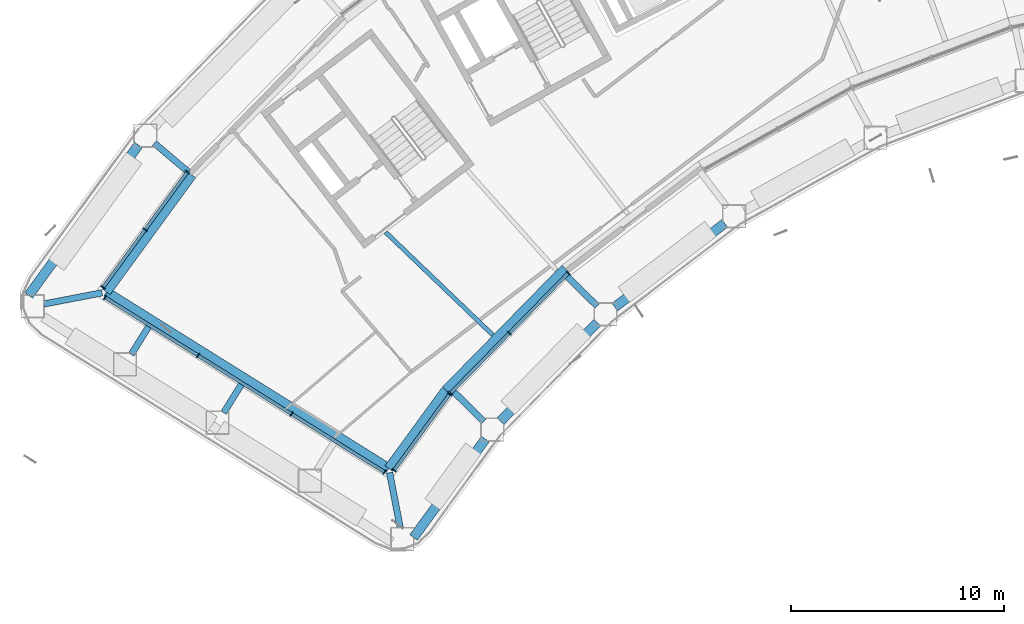
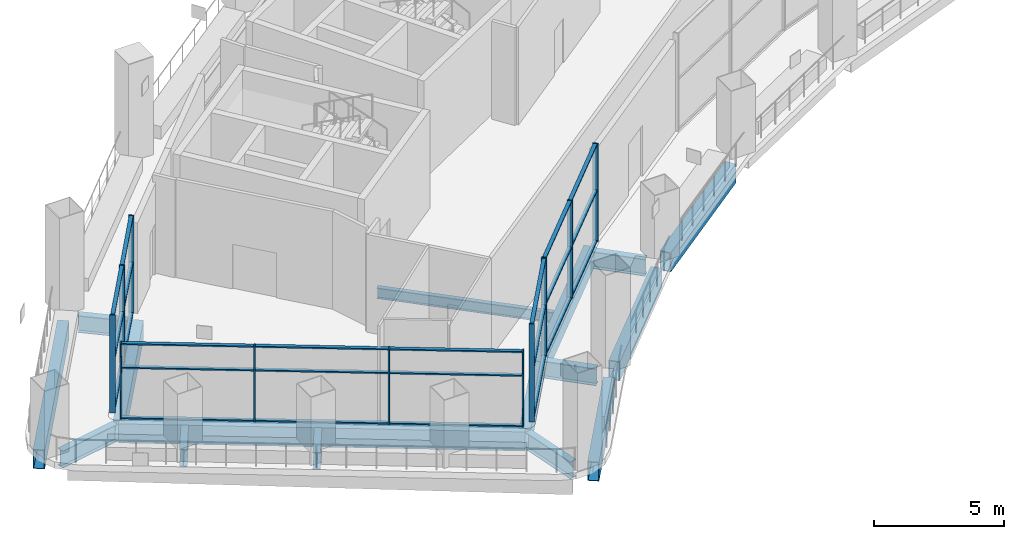
# One storey, part 2 of 28: 36 members, 16 beams, 4 elements without a shape of their own.
"""IFC4 building model written with IfcOpenShell, lengths in metres."""

from ifc_helpers import new_model, si_unit, direction, frame, origin, origin_2d, place, context, subcontext, project, spatial, rectangle, hollow_rectangle, i_section, extrude, material, layer, layer_set, material_profile, profile_set, type_object, element, aggregate, save


model = new_model("IFC4")

# Units and contexts
model_context = context("Model", 3, precision=1e-05, world=origin(), true_north=direction((0.0, 1.0)))
body_context = subcontext(model_context, "Body", "Model", "MODEL_VIEW")
ifc_project = project(units=[si_unit("LENGTHUNIT", "METRE"), si_unit("AREAUNIT", "SQUARE_METRE"), si_unit("VOLUMEUNIT", "CUBIC_METRE"), si_unit("PLANEANGLEUNIT", "RADIAN"), si_unit("MASSUNIT", "GRAM", prefix="KILO")], contexts=[model_context])

# Site, building, storey
site_placement = place(None, origin())
site = spatial("IfcSite", under=ifc_project, at=site_placement, CompositionType="ELEMENT")
building_placement = place(site_placement, origin())
building = spatial("IfcBuilding", under=site, at=building_placement, Name="Tuul Gate Civic Tower", CompositionType="ELEMENT")
storey_placement = place(building_placement, frame((0.0, 0.0, 128.699951171875)))
storey = spatial("IfcBuildingStorey", under=building, at=storey_placement, Name="Sky garden level 1", CompositionType="ELEMENT", Elevation=128.699951171875)

# Curtain wall, members
ifc_material_1 = material(Name="Aluminium", Category="aluminium")
ifc_layer_1 = layer(ifc_material_1, 0.199951171875)
ifc_layer_set_1 = layer_set([ifc_layer_1], Name="Aluminium")
curtain_wall_type_1 = type_object("IfcCurtainWallType", Name="Curtain wall CW3", PredefinedType="NOTDEFINED", material=ifc_layer_set_1)
curtain_wall_1_placement = place(storey_placement, origin())
curtain_wall_1 = element("IfcCurtainWall", 1, at=curtain_wall_1_placement, inside=storey, type_object=curtain_wall_type_1, Name="Curtain wall CW3", PredefinedType="NOTDEFINED")
ifc_material_2 = material(Name="Aluminium", Category="aluminium")
ifc_material_profile_1 = material_profile(ifc_material_2, rectangle(XDim=0.219970703125, YDim=0.06005859375, at=origin_2d()), Name="CW3 mullion")
ifc_profile_set_1 = profile_set([ifc_material_profile_1], Name="Aluminium")
member_type_1 = type_object("IfcMemberType", Name="CW3 mullion", PredefinedType="MULLION", material=ifc_profile_set_1)
member_1_placement = place(storey_placement, frame((-44.57275390625, -14.13916015625, 0.0), z_axis=(0.0, 0.0, 1.0), x_axis=(0.807610302913, -0.589716540915, 0.0)))
member_1 = element("IfcMember", 2, at=member_1_placement, type_object=member_type_1, Name="Mullion", PredefinedType="MULLION", context=body_context, shape_type="SweptSolid", body=[
    extrude(rectangle(XDim=0.219970703125, YDim=0.06005859375, at=origin_2d()), origin(), (0.0, 0.0, 1.0), 4.60009765625),
])
member_2_placement = place(storey_placement, frame((-46.551025390625, -16.848388671875, 0.0), z_axis=(0.0, 0.0, 1.0), x_axis=(0.807610302913, -0.589716540915, 0.0)))
member_2 = element("IfcMember", 3, at=member_2_placement, type_object=member_type_1, Name="Mullion", PredefinedType="MULLION", context=body_context, shape_type="SweptSolid", body=[
    extrude(rectangle(XDim=0.219970703125, YDim=0.06005859375, at=origin_2d()), origin(), (0.0, 0.0, 1.0), 4.60009765625),
])
member_3_placement = place(storey_placement, frame((-48.529296875, -19.557861328125, 0.0), z_axis=(0.0, 0.0, 1.0), x_axis=(0.807610302913, -0.589716540915, 0.0)))
member_3 = element("IfcMember", 4, at=member_3_placement, type_object=member_type_1, Name="Mullion", PredefinedType="MULLION", context=body_context, shape_type="SweptSolid", body=[
    extrude(rectangle(XDim=0.219970703125, YDim=0.06005859375, at=origin_2d()), origin(), (0.0, 0.0, 1.0), 4.60009765625),
])

curtain_wall_2_placement = place(storey_placement, origin())
curtain_wall_2 = element("IfcCurtainWall", 5, at=curtain_wall_2_placement, inside=storey, type_object=curtain_wall_type_1, Name="Curtain wall CW3", PredefinedType="NOTDEFINED")
member_4_placement = place(storey_placement, frame((-34.8662109375, -28.146728515625, 0.0), z_axis=(0.0, 0.0, 1.0), x_axis=(-0.807566892229, 0.589775986774, 0.0)))
member_4 = element("IfcMember", 6, at=member_4_placement, type_object=member_type_1, Name="Mullion", PredefinedType="MULLION", context=body_context, shape_type="SweptSolid", body=[
    extrude(rectangle(XDim=0.219970703125, YDim=0.06005859375, at=origin_2d()), origin(), (0.0, 0.0, 1.0), 4.60009765625),
])
member_5_placement = place(storey_placement, frame((-32.2587890625, -24.576171875, 0.0), z_axis=(0.0, 0.0, 1.0), x_axis=(-0.807566892229, 0.589775986774, 0.0)))
member_5 = element("IfcMember", 7, at=member_5_placement, type_object=member_type_1, Name="Mullion", PredefinedType="MULLION", context=body_context, shape_type="SweptSolid", body=[
    extrude(rectangle(XDim=0.219970703125, YDim=0.06005859375, at=origin_2d()), origin(), (0.0, 0.0, 1.0), 4.60009765625),
])

curtain_wall_3_placement = place(storey_placement, origin())
curtain_wall_3 = element("IfcCurtainWall", 8, at=curtain_wall_3_placement, inside=storey, type_object=curtain_wall_type_1, Name="Curtain wall CW3", PredefinedType="NOTDEFINED")
member_6_placement = place(storey_placement, frame((-32.219970703125, -24.530517578125, 0.0), z_axis=(0.0, 0.0, 1.0), x_axis=(-0.714099902117, 0.700043805627, 0.0)))
member_6 = element("IfcMember", 9, at=member_6_placement, type_object=member_type_1, Name="Mullion", PredefinedType="MULLION", context=body_context, shape_type="SweptSolid", body=[
    extrude(rectangle(XDim=0.219970703125, YDim=0.06005859375, at=origin_2d()), origin(), (0.0, 0.0, 1.0), 4.60009765625),
])
member_7_placement = place(storey_placement, frame((-29.451904296875, -21.70703125, 0.0), z_axis=(0.0, 0.0, 1.0), x_axis=(-0.714099902117, 0.700043805627, 0.0)))
member_7 = element("IfcMember", 10, at=member_7_placement, type_object=member_type_1, Name="Mullion", PredefinedType="MULLION", context=body_context, shape_type="SweptSolid", body=[
    extrude(rectangle(XDim=0.219970703125, YDim=0.06005859375, at=origin_2d()), origin(), (0.0, 0.0, 1.0), 4.60009765625),
])
member_8_placement = place(storey_placement, frame((-26.68408203125, -18.883544921875, 0.0), z_axis=(0.0, 0.0, 1.0), x_axis=(-0.714099902117, 0.700043805627, 0.0)))
member_8 = element("IfcMember", 11, at=member_8_placement, type_object=member_type_1, Name="Mullion", PredefinedType="MULLION", context=body_context, shape_type="SweptSolid", body=[
    extrude(rectangle(XDim=0.219970703125, YDim=0.06005859375, at=origin_2d()), origin(), (0.0, 0.0, 1.0), 4.60009765625),
])

# Member
ifc_material_3 = material(Name="Aluminium", Category="aluminium")
ifc_material_profile_2 = material_profile(ifc_material_3, rectangle(XDim=0.159912109375, YDim=0.06005859375, at=origin_2d()), Name="CW3 transom")
ifc_profile_set_2 = profile_set([ifc_material_profile_2], Name="Aluminium")
member_type_2 = type_object("IfcMemberType", Name="CW3 transom", PredefinedType="USERDEFINED", material=ifc_profile_set_2)
member_9_placement = place(storey_placement, frame((-44.59033203125, -14.16357421875, 0.030029296875), z_axis=(-0.589730421294, -0.807600167286, 0.0), x_axis=(0.807600167286, -0.589730421294, 0.0)))
member_9 = element("IfcMember", 12, at=member_9_placement, type_object=member_type_2, Name="Transom", ObjectType="TRANSOM", PredefinedType="USERDEFINED", context=body_context, shape_type="SweptSolid", body=[
    extrude(rectangle(XDim=0.159912109375, YDim=0.06005859375, at=origin_2d()), origin(), (0.0, 0.0, 1.0), 3.29443359375),
])

member_10_placement = place(storey_placement, frame((-44.59033203125, -14.16357421875, 2.400146484375), z_axis=(-0.589730421294, -0.807600167286, 0.0), x_axis=(0.807600167286, -0.589730421294, 0.0)))
member_10 = element("IfcMember", 13, at=member_10_placement, type_object=member_type_2, Name="Transom", ObjectType="TRANSOM", PredefinedType="USERDEFINED", context=body_context, shape_type="SweptSolid", body=[
    extrude(rectangle(XDim=0.159912109375, YDim=0.06005859375, at=origin_2d()), origin(), (0.0, 0.0, 1.0), 3.29443359375),
])

member_11_placement = place(storey_placement, frame((-44.59033203125, -14.16357421875, 4.570068359375), z_axis=(-0.589730421294, -0.807600167286, 0.0), x_axis=(0.807600167286, -0.589730421294, 0.0)))
member_11 = element("IfcMember", 14, at=member_11_placement, type_object=member_type_2, Name="Transom", ObjectType="TRANSOM", PredefinedType="USERDEFINED", context=body_context, shape_type="SweptSolid", body=[
    extrude(rectangle(XDim=0.159912109375, YDim=0.06005859375, at=origin_2d()), origin(), (0.0, 0.0, 1.0), 3.29443359375),
])

member_12_placement = place(storey_placement, frame((-46.568603515625, -16.872802734375, 0.030029296875), z_axis=(-0.589778750975, -0.807564873492, 0.0), x_axis=(0.807564873492, -0.589778750975, 0.0)))
member_12 = element("IfcMember", 15, at=member_12_placement, type_object=member_type_2, Name="Transom", ObjectType="TRANSOM", PredefinedType="USERDEFINED", context=body_context, shape_type="SweptSolid", body=[
    extrude(rectangle(XDim=0.159912109375, YDim=0.06005859375, at=origin_2d()), origin(), (0.0, 0.0, 1.0), 3.294677734375),
])

member_13_placement = place(storey_placement, frame((-46.568603515625, -16.872802734375, 2.400146484375), z_axis=(-0.589778750975, -0.807564873492, 0.0), x_axis=(0.807564873492, -0.589778750975, 0.0)))
member_13 = element("IfcMember", 16, at=member_13_placement, type_object=member_type_2, Name="Transom", ObjectType="TRANSOM", PredefinedType="USERDEFINED", context=body_context, shape_type="SweptSolid", body=[
    extrude(rectangle(XDim=0.159912109375, YDim=0.06005859375, at=origin_2d()), origin(), (0.0, 0.0, 1.0), 3.294677734375),
])

member_14_placement = place(storey_placement, frame((-46.568603515625, -16.872802734375, 4.570068359375), z_axis=(-0.589778750975, -0.807564873492, 0.0), x_axis=(0.807564873492, -0.589778750975, 0.0)))
member_14 = element("IfcMember", 17, at=member_14_placement, type_object=member_type_2, Name="Transom", ObjectType="TRANSOM", PredefinedType="USERDEFINED", context=body_context, shape_type="SweptSolid", body=[
    extrude(rectangle(XDim=0.159912109375, YDim=0.06005859375, at=origin_2d()), origin(), (0.0, 0.0, 1.0), 3.294677734375),
])

aggregate(curtain_wall_1, [member_1, member_2, member_3, member_9, member_10, member_11, member_12, member_13, member_14])

member_15_placement = place(storey_placement, frame((-34.8486328125, -28.12255859375, 0.030029296875), z_axis=(0.589768148936, 0.80757261624, 0.0), x_axis=(-0.80757261624, 0.589768148936, 0.0)))
member_15 = element("IfcMember", 18, at=member_15_placement, type_object=member_type_2, Name="Transom", ObjectType="TRANSOM", PredefinedType="USERDEFINED", context=body_context, shape_type="SweptSolid", body=[
    extrude(rectangle(XDim=0.159912109375, YDim=0.06005859375, at=origin_2d()), origin(), (0.0, 0.0, 1.0), 4.361572265625),
])

member_16_placement = place(storey_placement, frame((-34.8486328125, -28.12255859375, 2.400146484375), z_axis=(0.589768148936, 0.80757261624, 0.0), x_axis=(-0.80757261624, 0.589768148936, 0.0)))
member_16 = element("IfcMember", 19, at=member_16_placement, type_object=member_type_2, Name="Transom", ObjectType="TRANSOM", PredefinedType="USERDEFINED", context=body_context, shape_type="SweptSolid", body=[
    extrude(rectangle(XDim=0.159912109375, YDim=0.06005859375, at=origin_2d()), origin(), (0.0, 0.0, 1.0), 4.361572265625),
])

member_17_placement = place(storey_placement, frame((-34.8486328125, -28.12255859375, 4.570068359375), z_axis=(0.589768148936, 0.80757261624, 0.0), x_axis=(-0.80757261624, 0.589768148936, 0.0)))
member_17 = element("IfcMember", 20, at=member_17_placement, type_object=member_type_2, Name="Transom", ObjectType="TRANSOM", PredefinedType="USERDEFINED", context=body_context, shape_type="SweptSolid", body=[
    extrude(rectangle(XDim=0.159912109375, YDim=0.06005859375, at=origin_2d()), origin(), (0.0, 0.0, 1.0), 4.361572265625),
])

aggregate(curtain_wall_2, [member_4, member_5, member_15, member_16, member_17])

member_18_placement = place(storey_placement, frame((-32.198974609375, -24.509033203125, 0.030029296875), z_axis=(0.700081440507, 0.714063006084, 0.0), x_axis=(-0.714063006084, 0.700081440507, 0.0)))
member_18 = element("IfcMember", 21, at=member_18_placement, type_object=member_type_2, Name="Transom", ObjectType="TRANSOM", PredefinedType="USERDEFINED", context=body_context, shape_type="SweptSolid", body=[
    extrude(rectangle(XDim=0.159912109375, YDim=0.06005859375, at=origin_2d()), origin(), (0.0, 0.0, 1.0), 3.89404296875),
])

member_19_placement = place(storey_placement, frame((-32.198974609375, -24.509033203125, 2.400146484375), z_axis=(0.700081440507, 0.714063006084, 0.0), x_axis=(-0.714063006084, 0.700081440507, 0.0)))
member_19 = element("IfcMember", 22, at=member_19_placement, type_object=member_type_2, Name="Transom", ObjectType="TRANSOM", PredefinedType="USERDEFINED", context=body_context, shape_type="SweptSolid", body=[
    extrude(rectangle(XDim=0.159912109375, YDim=0.06005859375, at=origin_2d()), origin(), (0.0, 0.0, 1.0), 3.89404296875),
])

member_20_placement = place(storey_placement, frame((-32.198974609375, -24.509033203125, 4.570068359375), z_axis=(0.700081440507, 0.714063006084, 0.0), x_axis=(-0.714063006084, 0.700081440507, 0.0)))
member_20 = element("IfcMember", 23, at=member_20_placement, type_object=member_type_2, Name="Transom", ObjectType="TRANSOM", PredefinedType="USERDEFINED", context=body_context, shape_type="SweptSolid", body=[
    extrude(rectangle(XDim=0.159912109375, YDim=0.06005859375, at=origin_2d()), origin(), (0.0, 0.0, 1.0), 3.89404296875),
])

member_21_placement = place(storey_placement, frame((-29.430908203125, -21.685546875, 0.030029296875), z_axis=(0.700018126509, 0.714125074871, 0.0), x_axis=(-0.714125074871, 0.700018126509, 0.0)))
member_21 = element("IfcMember", 24, at=member_21_placement, type_object=member_type_2, Name="Transom", ObjectType="TRANSOM", PredefinedType="USERDEFINED", context=body_context, shape_type="SweptSolid", body=[
    extrude(rectangle(XDim=0.159912109375, YDim=0.06005859375, at=origin_2d()), origin(), (0.0, 0.0, 1.0), 3.89404296875),
])

member_22_placement = place(storey_placement, frame((-29.430908203125, -21.685546875, 2.400146484375), z_axis=(0.700018126509, 0.714125074871, 0.0), x_axis=(-0.714125074871, 0.700018126509, 0.0)))
member_22 = element("IfcMember", 25, at=member_22_placement, type_object=member_type_2, Name="Transom", ObjectType="TRANSOM", PredefinedType="USERDEFINED", context=body_context, shape_type="SweptSolid", body=[
    extrude(rectangle(XDim=0.159912109375, YDim=0.06005859375, at=origin_2d()), origin(), (0.0, 0.0, 1.0), 3.89404296875),
])

member_23_placement = place(storey_placement, frame((-29.430908203125, -21.685546875, 4.570068359375), z_axis=(0.700018126509, 0.714125074871, 0.0), x_axis=(-0.714125074871, 0.700018126509, 0.0)))
member_23 = element("IfcMember", 26, at=member_23_placement, type_object=member_type_2, Name="Transom", ObjectType="TRANSOM", PredefinedType="USERDEFINED", context=body_context, shape_type="SweptSolid", body=[
    extrude(rectangle(XDim=0.159912109375, YDim=0.06005859375, at=origin_2d()), origin(), (0.0, 0.0, 1.0), 3.89404296875),
])

aggregate(curtain_wall_3, [member_6, member_7, member_8, member_18, member_19, member_20, member_21, member_22, member_23])

# Curtain wall, members
ifc_material_4 = material(Name="Aluminium", Category="aluminium")
ifc_layer_2 = layer(ifc_material_4, 0.199951171875)
ifc_layer_set_2 = layer_set([ifc_layer_2], Name="Aluminium")
curtain_wall_type_2 = type_object("IfcCurtainWallType", Name="Curtain wall CW3A", PredefinedType="NOTDEFINED", material=ifc_layer_set_2)
curtain_wall_4_placement = place(storey_placement, origin())
curtain_wall_4 = element("IfcCurtainWall", 27, at=curtain_wall_4_placement, inside=storey, type_object=curtain_wall_type_2, Name="Curtain wall CW3A", PredefinedType="NOTDEFINED")
ifc_material_5 = material(Name="Aluminium", Category="aluminium")
ifc_material_profile_3 = material_profile(ifc_material_5, rectangle(XDim=0.219970703125, YDim=0.06005859375, at=origin_2d()), Name="CW3A mullion")
ifc_profile_set_3 = profile_set([ifc_material_profile_3], Name="Aluminium")
member_type_3 = type_object("IfcMemberType", Name="CW3A mullion", PredefinedType="MULLION", material=ifc_profile_set_3)
member_24_placement = place(storey_placement, frame((-48.4384765625, -20.02880859375, 0.0), z_axis=(0.0, 0.0, 1.0), x_axis=(0.52995845166, 0.848023607876, 0.0)))
member_24 = element("IfcMember", 28, at=member_24_placement, type_object=member_type_3, Name="Mullion", PredefinedType="MULLION", context=body_context, shape_type="SweptSolid", body=[
    extrude(rectangle(XDim=0.219970703125, YDim=0.06005859375, at=origin_2d()), origin(), (0.0, 0.0, 1.0), 3.545166015625),
])
member_25_placement = place(storey_placement, frame((-44.071044921875, -22.75830078125, 0.0), z_axis=(0.0, 0.0, 1.0), x_axis=(0.52995845166, 0.848023607876, 0.0)))
member_25 = element("IfcMember", 29, at=member_25_placement, type_object=member_type_3, Name="Mullion", PredefinedType="MULLION", context=body_context, shape_type="SweptSolid", body=[
    extrude(rectangle(XDim=0.219970703125, YDim=0.06005859375, at=origin_2d()), origin(), (0.0, 0.0, 1.0), 3.545166015625),
])
member_26_placement = place(storey_placement, frame((-39.677978515625, -25.503662109375, 0.0), z_axis=(0.0, 0.0, 1.0), x_axis=(0.52995845166, 0.848023607876, 0.0)))
member_26 = element("IfcMember", 30, at=member_26_placement, type_object=member_type_3, Name="Mullion", PredefinedType="MULLION", context=body_context, shape_type="SweptSolid", body=[
    extrude(rectangle(XDim=0.219970703125, YDim=0.06005859375, at=origin_2d()), origin(), (0.0, 0.0, 1.0), 3.545166015625),
])
member_27_placement = place(storey_placement, frame((-35.310546875, -28.233154296875, 0.0), z_axis=(0.0, 0.0, 1.0), x_axis=(0.52995845166, 0.848023607876, 0.0)))
member_27 = element("IfcMember", 31, at=member_27_placement, type_object=member_type_3, Name="Mullion", PredefinedType="MULLION", context=body_context, shape_type="SweptSolid", body=[
    extrude(rectangle(XDim=0.219970703125, YDim=0.06005859375, at=origin_2d()), origin(), (0.0, 0.0, 1.0), 3.545166015625),
])
ifc_material_6 = material(Name="Aluminium", Category="aluminium")
ifc_material_profile_4 = material_profile(ifc_material_6, rectangle(XDim=0.159912109375, YDim=0.06005859375, at=origin_2d()), Name="CW3A transom")
ifc_profile_set_4 = profile_set([ifc_material_profile_4], Name="Aluminium")
member_type_4 = type_object("IfcMemberType", Name="CW3A transom", PredefinedType="USERDEFINED", material=ifc_profile_set_4)
member_28_placement = place(storey_placement, frame((-48.4130859375, -20.044677734375, 0.030029296875), z_axis=(0.848011776134, -0.529977383987, 0.0), x_axis=(0.529977383987, 0.848011776134, 0.0)))
member_28 = element("IfcMember", 32, at=member_28_placement, type_object=member_type_4, Name="Transom", ObjectType="TRANSOM", PredefinedType="USERDEFINED", context=body_context, shape_type="SweptSolid", body=[
    extrude(rectangle(XDim=0.159912109375, YDim=0.06005859375, at=origin_2d()), origin(), (0.0, 0.0, 1.0), 5.09033203125),
])
member_29_placement = place(storey_placement, frame((-48.4130859375, -20.044677734375, 2.400146484375), z_axis=(0.848011776134, -0.529977383987, 0.0), x_axis=(0.529977383987, 0.848011776134, 0.0)))
member_29 = element("IfcMember", 33, at=member_29_placement, type_object=member_type_4, Name="Transom", ObjectType="TRANSOM", PredefinedType="USERDEFINED", context=body_context, shape_type="SweptSolid", body=[
    extrude(rectangle(XDim=0.159912109375, YDim=0.06005859375, at=origin_2d()), origin(), (0.0, 0.0, 1.0), 5.09033203125),
])
member_30_placement = place(storey_placement, frame((-48.4130859375, -20.044677734375, 3.51513671875), z_axis=(0.848011776134, -0.529977383987, 0.0), x_axis=(0.529977383987, 0.848011776134, 0.0)))
member_30 = element("IfcMember", 34, at=member_30_placement, type_object=member_type_4, Name="Transom", ObjectType="TRANSOM", PredefinedType="USERDEFINED", context=body_context, shape_type="SweptSolid", body=[
    extrude(rectangle(XDim=0.159912109375, YDim=0.06005859375, at=origin_2d()), origin(), (0.0, 0.0, 1.0), 5.09033203125),
])
member_31_placement = place(storey_placement, frame((-44.045654296875, -22.774169921875, 0.030029296875), z_axis=(0.848025089079, -0.529956081475, 0.0), x_axis=(0.529956081475, 0.848025089079, 0.0)))
member_31 = element("IfcMember", 35, at=member_31_placement, type_object=member_type_4, Name="Transom", ObjectType="TRANSOM", PredefinedType="USERDEFINED", context=body_context, shape_type="SweptSolid", body=[
    extrude(rectangle(XDim=0.159912109375, YDim=0.06005859375, at=origin_2d()), origin(), (0.0, 0.0, 1.0), 5.120361328125),
])
member_32_placement = place(storey_placement, frame((-44.045654296875, -22.774169921875, 2.400146484375), z_axis=(0.848025089079, -0.529956081475, 0.0), x_axis=(0.529956081475, 0.848025089079, 0.0)))
member_32 = element("IfcMember", 36, at=member_32_placement, type_object=member_type_4, Name="Transom", ObjectType="TRANSOM", PredefinedType="USERDEFINED", context=body_context, shape_type="SweptSolid", body=[
    extrude(rectangle(XDim=0.159912109375, YDim=0.06005859375, at=origin_2d()), origin(), (0.0, 0.0, 1.0), 5.120361328125),
])
member_33_placement = place(storey_placement, frame((-44.045654296875, -22.774169921875, 3.51513671875), z_axis=(0.848025089079, -0.529956081475, 0.0), x_axis=(0.529956081475, 0.848025089079, 0.0)))
member_33 = element("IfcMember", 37, at=member_33_placement, type_object=member_type_4, Name="Transom", ObjectType="TRANSOM", PredefinedType="USERDEFINED", context=body_context, shape_type="SweptSolid", body=[
    extrude(rectangle(XDim=0.159912109375, YDim=0.06005859375, at=origin_2d()), origin(), (0.0, 0.0, 1.0), 5.120361328125),
])
member_34_placement = place(storey_placement, frame((-39.652587890625, -25.51953125, 0.030029296875), z_axis=(0.848011776134, -0.529977383987, 0.0), x_axis=(0.529977383987, 0.848011776134, 0.0)))
member_34 = element("IfcMember", 38, at=member_34_placement, type_object=member_type_4, Name="Transom", ObjectType="TRANSOM", PredefinedType="USERDEFINED", context=body_context, shape_type="SweptSolid", body=[
    extrude(rectangle(XDim=0.159912109375, YDim=0.06005859375, at=origin_2d()), origin(), (0.0, 0.0, 1.0), 5.09033203125),
])
member_35_placement = place(storey_placement, frame((-39.652587890625, -25.51953125, 2.400146484375), z_axis=(0.848011776134, -0.529977383987, 0.0), x_axis=(0.529977383987, 0.848011776134, 0.0)))
member_35 = element("IfcMember", 39, at=member_35_placement, type_object=member_type_4, Name="Transom", ObjectType="TRANSOM", PredefinedType="USERDEFINED", context=body_context, shape_type="SweptSolid", body=[
    extrude(rectangle(XDim=0.159912109375, YDim=0.06005859375, at=origin_2d()), origin(), (0.0, 0.0, 1.0), 5.09033203125),
])
member_36_placement = place(storey_placement, frame((-39.652587890625, -25.51953125, 3.51513671875), z_axis=(0.848011776134, -0.529977383987, 0.0), x_axis=(0.529977383987, 0.848011776134, 0.0)))
member_36 = element("IfcMember", 40, at=member_36_placement, type_object=member_type_4, Name="Transom", ObjectType="TRANSOM", PredefinedType="USERDEFINED", context=body_context, shape_type="SweptSolid", body=[
    extrude(rectangle(XDim=0.159912109375, YDim=0.06005859375, at=origin_2d()), origin(), (0.0, 0.0, 1.0), 5.09033203125),
])
aggregate(curtain_wall_4, [member_24, member_25, member_26, member_27, member_28, member_29, member_30, member_31, member_32, member_33, member_34, member_35, member_36])

# Beams
ifc_material_7 = material(Name="Steel S355", Category="steel")
ifc_material_profile_5 = material_profile(ifc_material_7, i_section(OverallWidth=0.199951171875, OverallDepth=0.5, WebThickness=0.010009765625, FlangeThickness=0.01611328125, at=origin_2d()), Name="PG500x200x10x16")
ifc_profile_set_5 = profile_set([ifc_material_profile_5], Name="Steel S355")
beam_type_1 = type_object("IfcBeamType", Name="STR-FLOOR BEAM-PG500x200x10x16", PredefinedType="BEAM", material=ifc_profile_set_5)
beam_1_placement = place(storey_placement, frame((-30.23291015625, -21.790283203125, -0.550048828125), z_axis=(-0.721739736135, 0.692164542059, 0.0), x_axis=(-0.692164542059, -0.721739736135, 0.0)))
element("IfcBeam", 41, at=beam_1_placement, inside=storey, type_object=beam_type_1, Name="Floor beam", PredefinedType="BEAM", context=body_context, shape_type="SweptSolid", body=[
    extrude(i_section(OverallWidth=0.199951171875, OverallDepth=0.5, WebThickness=0.010009765625, FlangeThickness=0.01611328125, at=origin_2d()), origin(), (0.0, 0.0, 1.0), 6.975341796875),
])
ifc_material_8 = material(Name="Steel S355", Category="steel")
ifc_material_profile_6 = material_profile(ifc_material_8, i_section(OverallWidth=0.300048828125, OverallDepth=0.800048828125, WebThickness=0.013916015625, FlangeThickness=0.02490234375, at=origin_2d()), Name="PG800x300x14x25")
ifc_profile_set_6 = profile_set([ifc_material_profile_6], Name="Steel S355")
beam_type_2 = type_object("IfcBeamType", Name="STR-FLOOR BEAM-PG800x300x14x25", PredefinedType="BEAM", material=ifc_profile_set_6)
beam_2_placement = place(storey_placement, frame((-46.12353515625, -12.78466796875, -0.699951171875), z_axis=(0.762744544553, -0.646699899299, 0.0), x_axis=(0.646699899299, 0.762744544553, 0.0)))
element("IfcBeam", 42, at=beam_2_placement, inside=storey, type_object=beam_type_2, Name="Terrace beam", PredefinedType="BEAM", context=body_context, shape_type="SweptSolid", body=[
    extrude(i_section(OverallWidth=0.300048828125, OverallDepth=0.800048828125, WebThickness=0.013916015625, FlangeThickness=0.02490234375, at=origin_2d()), origin(), (0.0, 0.0, 1.0), 2.108154296875),
])
beam_3_placement = place(storey_placement, frame((-51.302001953125, -20.337646484375, -0.699951171875), z_axis=(0.981846934843, 0.189674976049, 0.0), x_axis=(-0.189674976049, 0.981846934843, 0.0)))
element("IfcBeam", 43, at=beam_3_placement, inside=storey, type_object=beam_type_2, Name="Terrace beam", PredefinedType="BEAM", context=body_context, shape_type="SweptSolid", body=[
    extrude(i_section(OverallWidth=0.300048828125, OverallDepth=0.800048828125, WebThickness=0.013916015625, FlangeThickness=0.02490234375, at=origin_2d()), origin(), (0.0, 0.0, 1.0), 2.779052734375),
])
beam_4_placement = place(storey_placement, frame((-47.20849609375, -22.70947265625, -0.699951171875), z_axis=(0.529985808966, 0.848006510762, 0.0), x_axis=(-0.848006510762, 0.529985808966, 0.0)))
element("IfcBeam", 44, at=beam_4_placement, inside=storey, type_object=beam_type_2, Name="Terrace beam", PredefinedType="BEAM", context=body_context, shape_type="SweptSolid", body=[
    extrude(i_section(OverallWidth=0.300048828125, OverallDepth=0.800048828125, WebThickness=0.013916015625, FlangeThickness=0.02490234375, at=origin_2d()), origin(), (0.0, 0.0, 1.0), 1.671142578125),
])
beam_5_placement = place(storey_placement, frame((-42.865478515625, -25.444580078125, -0.699951171875), z_axis=(0.52984303468, 0.848095724905, 0.0), x_axis=(-0.848095724905, 0.52984303468, 0.0)))
element("IfcBeam", 45, at=beam_5_placement, inside=storey, type_object=beam_type_2, Name="Terrace beam", PredefinedType="BEAM", context=body_context, shape_type="SweptSolid", body=[
    extrude(i_section(OverallWidth=0.300048828125, OverallDepth=0.800048828125, WebThickness=0.013916015625, FlangeThickness=0.02490234375, at=origin_2d()), origin(), (0.0, 0.0, 1.0), 1.689208984375),
])
beam_6_placement = place(storey_placement, frame((-34.576416015625, -30.840087890625, -0.699951171875), z_axis=(-0.189721749237, 0.981837897958, 0.0), x_axis=(-0.981837897958, -0.189721749237, 0.0)))
element("IfcBeam", 46, at=beam_6_placement, inside=storey, type_object=beam_type_2, Name="Terrace beam", PredefinedType="BEAM", context=body_context, shape_type="SweptSolid", body=[
    extrude(i_section(OverallWidth=0.300048828125, OverallDepth=0.800048828125, WebThickness=0.013916015625, FlangeThickness=0.02490234375, at=origin_2d()), origin(), (0.0, 0.0, 1.0), 2.63037109375),
])
for number, where, z_axis, x_axis, name in (
    (47, (-30.644775390625, -25.85302734375, -0.699951171875), (-0.714105887894, 0.70003769961, 0.0), (-0.70003769961, -0.714105887894, 0.0), "Terrace beam"),
    (48, (-25.330810546875, -20.431884765625, -0.699951171875), (-0.714105887894, 0.70003769961, 0.0), (-0.70003769961, -0.714105887894, 0.0), "Terrace beam"),
):
    element("IfcBeam", number, at=place(storey_placement, frame(where, z_axis=z_axis, x_axis=x_axis)), inside=storey, type_object=beam_type_2, Name=name, PredefinedType="BEAM", context=body_context, shape_type="SweptSolid", body=[
        extrude(i_section(OverallWidth=0.300048828125, OverallDepth=0.800048828125, WebThickness=0.013916015625, FlangeThickness=0.02490234375, at=origin_2d()), origin(), (0.0, 0.0, 1.0), 2.099853515625),
    ])
ifc_material_9 = material(Name="Steel S355", Category="steel")
ifc_material_profile_7 = material_profile(ifc_material_9, hollow_rectangle(XDim=0.449951171875, YDim=0.89990234375, WallThickness=0.02490234375, at=origin_2d()), Name="BOX900x450x25")
ifc_profile_set_7 = profile_set([ifc_material_profile_7], Name="Steel S355")
beam_type_3 = type_object("IfcBeamType", Name="STR-SPANDREL BEAM-BOX900x450x25", PredefinedType="BEAM", material=ifc_profile_set_7)
beam_7_placement = place(storey_placement, frame((-48.377197265625, -19.7724609375, -0.75), z_axis=(0.589872660947, 0.807496281024, 0.0), x_axis=(-0.807496281024, 0.589872660947, 0.0)))
element("IfcBeam", 49, at=beam_7_placement, inside=storey, type_object=beam_type_3, Name="Spandrel beam", PredefinedType="BEAM", context=body_context, shape_type="SweptSolid", body=[
    extrude(hollow_rectangle(XDim=0.449951171875, YDim=0.89990234375, WallThickness=0.02490234375, at=origin_2d()), origin(), (0.0, 0.0, 1.0), 6.80517578125),
])
beam_8_placement = place(storey_placement, frame((-26.828369140625, -18.67431640625, -0.75), z_axis=(-0.700026279004, -0.71411708333, 0.0), x_axis=(0.71411708333, -0.700026279004, 0.0)))
element("IfcBeam", 50, at=beam_8_placement, inside=storey, type_object=beam_type_3, Name="Spandrel beam", PredefinedType="BEAM", context=body_context, shape_type="SweptSolid", body=[
    extrude(hollow_rectangle(XDim=0.449951171875, YDim=0.89990234375, WallThickness=0.02490234375, at=origin_2d()), origin(), (0.0, 0.0, 1.0), 8.004638671875),
])
beam_9_placement = place(storey_placement, frame((-32.431884765625, -24.390625, -0.75), z_axis=(-0.589872496022, -0.807496401501, 0.0), x_axis=(0.807496401501, -0.589872496022, 0.0)))
element("IfcBeam", 51, at=beam_9_placement, inside=storey, type_object=beam_type_3, Name="Spandrel beam", PredefinedType="BEAM", context=body_context, shape_type="SweptSolid", body=[
    extrude(hollow_rectangle(XDim=0.449951171875, YDim=0.89990234375, WallThickness=0.02490234375, at=origin_2d()), origin(), (0.0, 0.0, 1.0), 4.545654296875),
])
beam_10_placement = place(storey_placement, frame((-35.11328125, -28.061279296875, -0.75), z_axis=(-0.848030748449, 0.529947025357, 0.0), x_axis=(-0.529947025357, -0.848030748449, 0.0)))
element("IfcBeam", 52, at=beam_10_placement, inside=storey, type_object=beam_type_3, Name="Spandrel beam", PredefinedType="BEAM", context=body_context, shape_type="SweptSolid", body=[
    extrude(hollow_rectangle(XDim=0.449951171875, YDim=0.89990234375, WallThickness=0.02490234375, at=origin_2d()), origin(), (0.0, 0.0, 1.0), 15.640869140625),
])
beam_11_placement = place(storey_placement, frame((-46.867431640625, -12.873046875, -0.75), z_axis=(-0.589758164626, -0.807579907661, 0.0), x_axis=(0.807579907661, -0.589758164626, 0.0)))
element("IfcBeam", 53, at=beam_11_placement, inside=storey, type_object=beam_type_3, Name="Terrace edge beam", PredefinedType="BEAM", context=body_context, shape_type="SweptSolid", body=[
    extrude(hollow_rectangle(XDim=0.449951171875, YDim=0.89990234375, WallThickness=0.02490234375, at=origin_2d()), origin(), (0.0, 0.0, 1.0), 8.741455078125),
])
beam_12_placement = place(storey_placement, frame((-33.951416015625, -31.302490234375, -0.75), z_axis=(0.589855036407, 0.807509155382, 0.0), x_axis=(-0.807509155382, 0.589855036407, 0.0)))
element("IfcBeam", 54, at=beam_12_placement, inside=storey, type_object=beam_type_3, Name="Terrace edge beam", PredefinedType="BEAM", context=body_context, shape_type="SweptSolid", body=[
    extrude(hollow_rectangle(XDim=0.449951171875, YDim=0.89990234375, WallThickness=0.02490234375, at=origin_2d()), origin(), (0.0, 0.0, 1.0), 5.7216796875),
])
beam_13_placement = place(storey_placement, frame((-29.866943359375, -25.84521484375, -0.75), z_axis=(0.700019515807, 0.714123713014, 0.0), x_axis=(-0.714123713014, 0.700019515807, 0.0)))
element("IfcBeam", 55, at=beam_13_placement, inside=storey, type_object=beam_type_3, Name="Terrace edge beam", PredefinedType="BEAM", context=body_context, shape_type="SweptSolid", body=[
    extrude(hollow_rectangle(XDim=0.449951171875, YDim=0.89990234375, WallThickness=0.02490234375, at=origin_2d()), origin(), (0.0, 0.0, 1.0), 6.4912109375),
])
beam_14_placement = place(storey_placement, frame((-24.50048828125, -20.48388671875, -0.75), z_axis=(0.795614709781, 0.605802965972, 0.0), x_axis=(-0.605802965972, 0.795614709781, 0.0)))
element("IfcBeam", 56, at=beam_14_placement, inside=storey, type_object=beam_type_3, Name="Terrace edge beam", PredefinedType="BEAM", context=body_context, shape_type="SweptSolid", body=[
    extrude(hollow_rectangle(XDim=0.449951171875, YDim=0.89990234375, WallThickness=0.02490234375, at=origin_2d()), origin(), (0.0, 0.0, 1.0), 6.49169921875),
])

save(model, "model.ifc")
